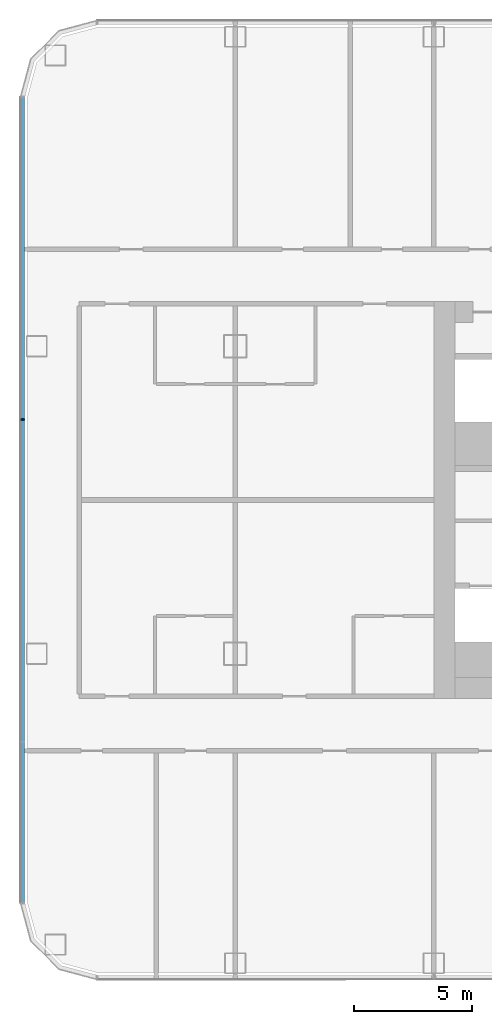
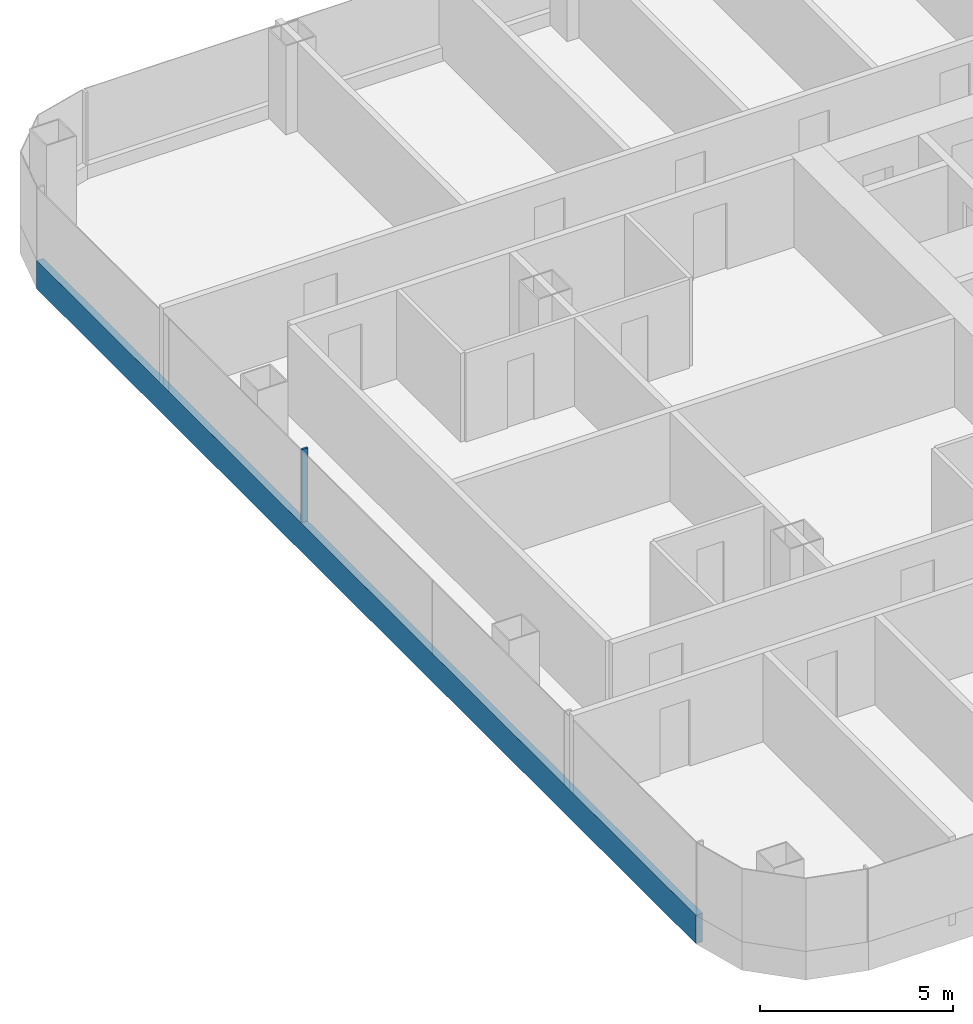
# One storey, part 3 of 28: 2 members, 1 element without a shape of its own.
"""IFC4 building model written with IfcOpenShell, lengths in metres."""

from ifc_helpers import new_model, si_unit, direction, frame, origin, origin_2d, place, context, subcontext, project, spatial, rectangle, extrude, material, layer, layer_set, material_profile, profile_set, type_object, element, aggregate, save


model = new_model("IFC4")

# Units and contexts
model_context = context("Model", 3, precision=1e-05, world=origin(), true_north=direction((0.0, 1.0)))
body_context = subcontext(model_context, "Body", "Model", "MODEL_VIEW")
ifc_project = project(units=[si_unit("LENGTHUNIT", "METRE"), si_unit("AREAUNIT", "SQUARE_METRE"), si_unit("VOLUMEUNIT", "CUBIC_METRE"), si_unit("PLANEANGLEUNIT", "RADIAN"), si_unit("MASSUNIT", "GRAM", prefix="KILO")], contexts=[model_context])

# Site, building, storey
site_placement = place(None, origin())
site = spatial("IfcSite", under=ifc_project, at=site_placement, CompositionType="ELEMENT")
building_placement = place(site_placement, origin())
building = spatial("IfcBuilding", under=site, at=building_placement, Name="Hakoniwa Tower and Hamabe Station Hall", CompositionType="ELEMENT")
storey_placement = place(building_placement, frame((0.0, 0.0, 48.60009765625)))
storey = spatial("IfcBuildingStorey", under=building, at=storey_placement, Name="L13", CompositionType="ELEMENT", Elevation=48.60009765625)

# Curtain wall, members
ifc_material_1 = material(Name="Dark low-e laminated glass", Category="glass")
ifc_layer = layer(ifc_material_1, 0.199951171875)
ifc_layer_set = layer_set([ifc_layer], Name="CW-1 UNITISED GUEST")
curtain_wall_type = type_object("IfcCurtainWallType", Name="CW-1 UNITISED GUEST", PredefinedType="NOTDEFINED", material=ifc_layer_set)
curtain_wall_placement = place(storey_placement, origin())
curtain_wall = element("IfcCurtainWall", 1, at=curtain_wall_placement, inside=storey, type_object=curtain_wall_type, Name="CW-1 curtain wall", PredefinedType="NOTDEFINED")
ifc_material_2 = material(Name="Aluminium 6063-T5 black anodised", Category="aluminium")
ifc_material_profile_1 = material_profile(ifc_material_2, rectangle(XDim=0.199951171875, YDim=0.89990234375, at=origin_2d()), Name="CW SLAB-EDGE BAND 900X200")
ifc_profile_set_1 = profile_set([ifc_material_profile_1], Name="Aluminium 6063-T5 black anodised")
member_type_1 = type_object("IfcMemberType", Name="CW SLAB-EDGE BAND 900X200", PredefinedType="USERDEFINED", material=ifc_profile_set_1)
member_1_placement = place(storey_placement, frame((-51.0, 17.03955078125, -0.10009765625), z_axis=(0.0, -1.0, 0.0), x_axis=(1.0, 0.0, 0.0)))
member_1 = element("IfcMember", 2, at=member_1_placement, type_object=member_type_1, Name="CW-1 transom", ObjectType="TRANSOM", PredefinedType="USERDEFINED", context=body_context, shape_type="SweptSolid", body=[
    extrude(rectangle(XDim=0.199951171875, YDim=0.89990234375, at=origin_2d()), origin(), (0.0, 0.0, 1.0), 34.0791015625),
])
ifc_material_3 = material(Name="Aluminium 6063-T5 black anodised", Category="aluminium")
ifc_material_profile_2 = material_profile(ifc_material_3, rectangle(XDim=0.06005859375, YDim=0.179931640625, at=origin_2d()), Name="CW-1 MULLION 60X180")
ifc_profile_set_2 = profile_set([ifc_material_profile_2], Name="Aluminium 6063-T5 black anodised")
member_type_2 = type_object("IfcMemberType", Name="CW-1 MULLION 60X180", PredefinedType="MULLION", material=ifc_profile_set_2)
member_2_placement = place(storey_placement, frame((-50.98193359375, 3.407958984375, 0.349853515625), z_axis=(0.0, 0.0, 1.0), x_axis=(0.0, -1.0, 0.0)))
member_2 = element("IfcMember", 3, at=member_2_placement, type_object=member_type_2, Name="CW-1 mullion", PredefinedType="MULLION", context=body_context, shape_type="SweptSolid", body=[
    extrude(rectangle(XDim=0.06005859375, YDim=0.179931640625, at=origin_2d()), origin(), (0.0, 0.0, 1.0), 2.300048828125),
])
aggregate(curtain_wall, [member_2, member_1])

save(model, "model.ifc")
